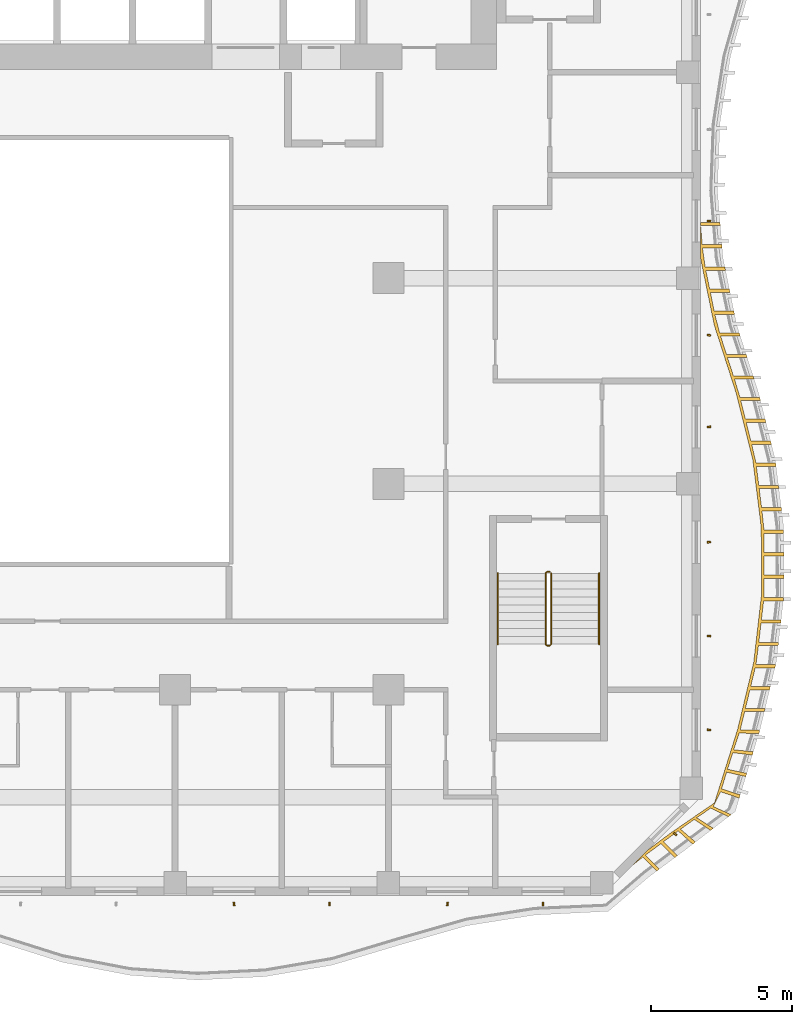
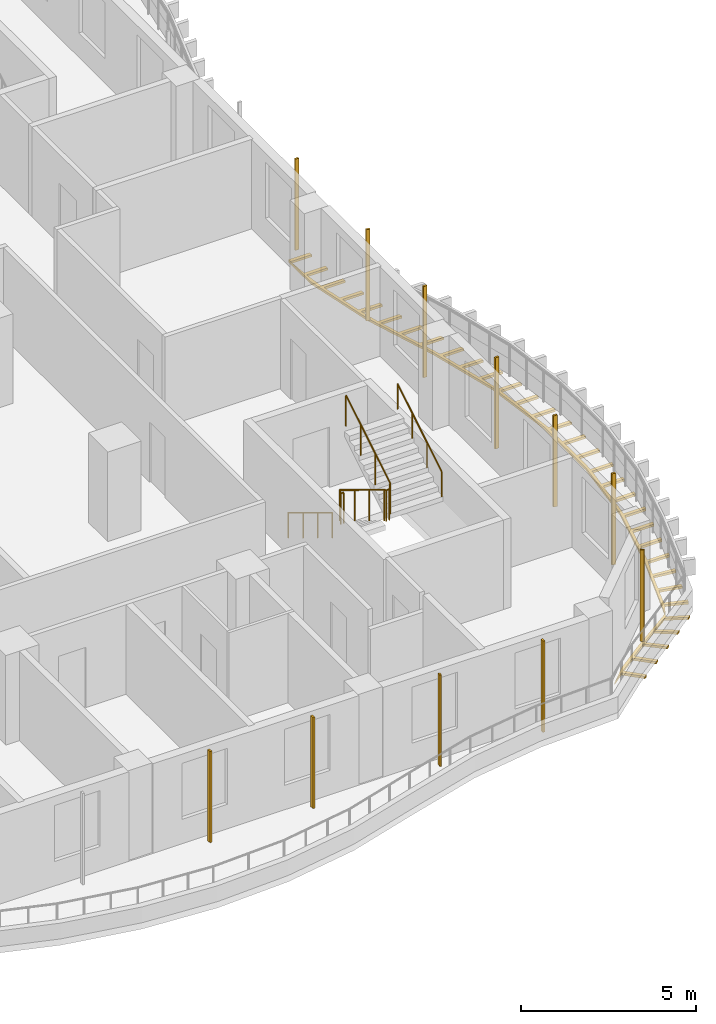
# One storey, part 17 of 22: 12 shading devices, 3 railings.
"""IFC4 building model written with IfcOpenShell, lengths in metres."""

from ifc_helpers import new_model, si_unit, direction, frame, origin, origin_2d, place, context, subcontext, project, spatial, polyline, rectangle, circle, outline, extrude, source, transform, mapped, material, layer, layer_set, material_profile, profile_set, type_object, element, save


model = new_model("IFC4")

# Units and contexts
model_context = context("Model", 3, precision=1e-05, world=origin(), true_north=direction((0.0, 1.0)))
body_context = subcontext(model_context, "Body", "Model", "MODEL_VIEW")
ifc_project = project(units=[si_unit("LENGTHUNIT", "METRE"), si_unit("AREAUNIT", "SQUARE_METRE"), si_unit("VOLUMEUNIT", "CUBIC_METRE"), si_unit("PLANEANGLEUNIT", "RADIAN"), si_unit("MASSUNIT", "GRAM", prefix="KILO")], contexts=[model_context])

# Site, building, storey
site_placement = place(None, origin())
site = spatial("IfcSite", under=ifc_project, at=site_placement, CompositionType="ELEMENT")
building_placement = place(site_placement, origin())
building = spatial("IfcBuilding", under=site, at=building_placement, Name="Kilnfold Tower and Market Hall", CompositionType="ELEMENT")
storey_placement = place(building_placement, frame((0.0, 0.0, 143.89990234375)))
storey = spatial("IfcBuildingStorey", under=building, at=storey_placement, Name="L32", CompositionType="ELEMENT", Elevation=143.89990234375)

# Railings
ifc_material_1 = material(Name="Stainless steel 316", Category="steel")
railing_type_1 = type_object("IfcRailingType", Name="CORE STAIR GUARD 1100", PredefinedType="GUARDRAIL", material=ifc_material_1)
railing_1_placement = place(storey_placement, frame((19.89990234375, -9.75, 0.0)))
element("IfcRailing", 1, at=railing_1_placement, inside=storey, type_object=railing_type_1, Name="L32 ST4 stair guard 1", PredefinedType="GUARDRAIL", context=body_context, shape_type="SweptSolid", body=[
    extrude(circle(Radius=0.02392578125, at=origin_2d()), frame((0.0, 0.0, 1.076171875), z_axis=(-1.0, 0.0, 0.0), x_axis=(0.0, -1.0, 0.0)), (0.0, 0.0, 1.0), 0.099853515625),
    extrude(circle(Radius=0.02392578125, at=origin_2d()), frame((-0.099853515625, 0.0, 1.076171875), z_axis=(-0.271562723297, -0.271562723297, 0.923313259209), x_axis=(0.707106781187, -0.707106781187, 0.0)), (0.0, 0.0, 1.0), 0.184326171875),
    extrude(circle(Radius=0.02392578125, at=origin_2d()), frame((-0.14990234375, -0.050048828125, 1.24609375), z_axis=(0.0, -0.85478489116, 0.518982456201), x_axis=(1.0, 0.0, 0.0)), (0.0, 0.0, 1.0), 2.9482421875),
    extrude(circle(Radius=0.02392578125, at=origin_2d()), frame((-0.14990234375, -2.570068359375, 2.7763671875), z_axis=(0.707106781187, -0.707106781187, 0.0), x_axis=(0.707106781187, 0.707106781187, 0.0)), (0.0, 0.0, 1.0), 0.07080078125),
    extrude(circle(Radius=0.02392578125, at=origin_2d()), frame((-0.099853515625, -2.6201171875, 2.7763671875), z_axis=(1.0, 0.0, 0.0), x_axis=(0.0, 1.0, 0.0)), (0.0, 0.0, 1.0), 0.099853515625),
    extrude(circle(Radius=0.02392578125, at=origin_2d()), frame((0.0, -2.6201171875, 2.7763671875), z_axis=(0.271895245746, 0.271895245746, 0.923117517265), x_axis=(-0.707106781187, 0.707106781187, 0.0)), (0.0, 0.0, 1.0), 0.18408203125),
    extrude(circle(Radius=0.02392578125, at=origin_2d()), frame((0.050048828125, -2.570068359375, 2.9462890625), z_axis=(0.0, 0.85478489116, 0.518982456201), x_axis=(-1.0, 0.0, 0.0)), (0.0, 0.0, 1.0), 2.9482421875),
    extrude(circle(Radius=0.02099609375, at=origin_2d()), origin(), (0.0, 0.0, 1.0), 1.052001953125),
    extrude(circle(Radius=0.02099609375, at=origin_2d()), frame((-0.099853515625, 0.0, 0.0)), (0.0, 0.0, 1.0), 1.052001953125),
    extrude(circle(Radius=0.02099609375, at=origin_2d()), frame((-0.14990234375, -0.050048828125, 0.170166015625)), (0.0, 0.0, 1.0), 1.052001953125),
    extrude(circle(Radius=0.02099609375, at=origin_2d()), frame((-0.14990234375, -0.89013671875, 0.68017578125)), (0.0, 0.0, 1.0), 1.052001953125),
    extrude(circle(Radius=0.02099609375, at=origin_2d()), frame((-0.14990234375, -1.72998046875, 1.190185546875)), (0.0, 0.0, 1.0), 1.052001953125),
    extrude(circle(Radius=0.02099609375, at=origin_2d()), frame((-0.14990234375, -2.570068359375, 1.7001953125)), (0.0, 0.0, 1.0), 1.052001953125),
    extrude(circle(Radius=0.02099609375, at=origin_2d()), frame((-0.099853515625, -2.6201171875, 1.7001953125)), (0.0, 0.0, 1.0), 1.052001953125),
    extrude(circle(Radius=0.02099609375, at=origin_2d()), frame((0.0, -2.6201171875, 1.7001953125)), (0.0, 0.0, 1.0), 1.052001953125),
    extrude(circle(Radius=0.02099609375, at=origin_2d()), frame((0.050048828125, -2.570068359375, 1.8701171875)), (0.0, 0.0, 1.0), 1.052001953125),
    extrude(circle(Radius=0.02099609375, at=origin_2d()), frame((0.050048828125, -1.72998046875, 2.380126953125)), (0.0, 0.0, 1.0), 1.052001953125),
    extrude(circle(Radius=0.02099609375, at=origin_2d()), frame((0.050048828125, -0.89013671875, 2.89013671875)), (0.0, 0.0, 1.0), 1.052001953125),
    extrude(circle(Radius=0.02099609375, at=origin_2d()), frame((0.050048828125, -0.050048828125, 3.400146484375)), (0.0, 0.0, 1.0), 1.052001953125),
])
ifc_material_2 = material(Name="Stainless steel 316", Category="steel")
railing_type_2 = type_object("IfcRailingType", Name="CORE STAIR HANDRAIL 900", PredefinedType="HANDRAIL", material=ifc_material_2)
railing_2_placement = place(storey_placement, frame((18.050048828125, -9.800048828125, 0.170166015625)))
element("IfcRailing", 2, at=railing_2_placement, inside=storey, type_object=railing_type_2, Name="L32 ST4 stair handrail 1", PredefinedType="HANDRAIL", context=body_context, shape_type="SweptSolid", body=[
    extrude(circle(Radius=0.02392578125, at=origin_2d()), frame((0.0, 0.0, 0.8759765625), z_axis=(0.0, -0.85478489116, 0.518982456201), x_axis=(1.0, 0.0, 0.0)), (0.0, 0.0, 1.0), 2.9482421875),
    extrude(circle(Radius=0.02099609375, at=origin_2d()), origin(), (0.0, 0.0, 1.0), 0.851806640625),
    extrude(circle(Radius=0.02099609375, at=origin_2d()), frame((0.0, -0.840087890625, 0.510009765625)), (0.0, 0.0, 1.0), 0.851806640625),
    extrude(circle(Radius=0.02099609375, at=origin_2d()), frame((0.0, -1.679931640625, 1.02001953125)), (0.0, 0.0, 1.0), 0.851806640625),
    extrude(circle(Radius=0.02099609375, at=origin_2d()), frame((0.0, -2.52001953125, 1.530029296875)), (0.0, 0.0, 1.0), 0.851806640625),
])
railing_3_placement = place(storey_placement, frame((21.64990234375, -12.320068359375, 1.8701171875)))
element("IfcRailing", 3, at=railing_3_placement, inside=storey, type_object=railing_type_2, Name="L32 ST4 stair handrail 2", PredefinedType="HANDRAIL", context=body_context, shape_type="SweptSolid", body=[
    extrude(circle(Radius=0.02392578125, at=origin_2d()), frame((0.0, 0.0, 0.8759765625), z_axis=(0.0, 0.85478489116, 0.518982456201), x_axis=(-1.0, 0.0, 0.0)), (0.0, 0.0, 1.0), 2.9482421875),
    extrude(circle(Radius=0.02099609375, at=origin_2d()), origin(), (0.0, 0.0, 1.0), 0.851806640625),
    extrude(circle(Radius=0.02099609375, at=origin_2d()), frame((0.0, 0.840087890625, 0.510009765625)), (0.0, 0.0, 1.0), 0.851806640625),
    extrude(circle(Radius=0.02099609375, at=origin_2d()), frame((0.0, 1.679931640625, 1.02001953125)), (0.0, 0.0, 1.0), 0.851806640625),
    extrude(circle(Radius=0.02099609375, at=origin_2d()), frame((0.0, 2.52001953125, 1.530029296875)), (0.0, 0.0, 1.0), 0.851806640625),
])

# Shading devices
ifc_material_3 = material(Name="Terracotta", Category="masonry")
ifc_material_profile = material_profile(ifc_material_3, rectangle(XDim=0.06005859375, YDim=0.1201171875, at=origin_2d()), Name="BAG 60x120")
ifc_profile_set = profile_set([ifc_material_profile], Name="Terracotta")
shading_device_type_1 = type_object("IfcShadingDeviceType", Name="BAGUETTE", PredefinedType="USERDEFINED", material=ifc_profile_set)
shared_shape_1 = source(origin(), body_context, "Body", "SweptSolid", [
    extrude(rectangle(XDim=0.06005859375, YDim=0.1201171875, at=origin_2d()), origin(), (0.0, 0.0, 1.0), 3.18017578125),
])
for number, where, z_axis, x_axis, name in (
    (4, (8.67919921875, -21.550048828125, 0.0), (0.0, 0.0, 1.0), (0.991255428821, 0.131957094669, 0.0), "Terracotta baguette L32 S"),
    (5, (12.07080078125, -21.550048828125, 0.0), (0.0, 0.0, 1.0), (0.998705722703, 0.050861374739, 0.0), "Terracotta baguette L32 S"),
    (6, (16.262451171875, -21.550048828125, 0.0), (0.0, 0.0, 1.0), (0.990306167317, -0.138901745758, 0.0), "Terracotta baguette L32 S"),
    (7, (19.654296875, -21.550048828125, 0.0), (0.0, 0.0, 1.0), (0.999879900285, -0.015497903297, 0.0), "Terracotta baguette L32 S"),
    (8, (24.35498046875, -19.0693359375, 0.0), (0.0, 0.0, 1.0), (0.633345756221, 0.773868950842, 0.0), "Terracotta baguette L32 SE"),
    (9, (25.550048828125, -15.364013671875, 0.0), (0.0, 0.0, 1.0), (0.115705172869, 0.993283601481, 0.0), "Terracotta baguette L32 E"),
    (10, (25.550048828125, -12.0283203125, 0.0), (0.0, 0.0, 1.0), (0.085997718089, 0.996295333967, 0.0), "Terracotta baguette L32 E"),
    (11, (25.550048828125, -8.69287109375, 0.0), (0.0, 0.0, 1.0), (-0.103085930495, 0.994672454094, 0.0), "Terracotta baguette L32 E"),
    (12, (25.550048828125, -4.596923828125, 0.0), (0.0, 0.0, 1.0), (-0.063299141844, 0.997994598503, 0.0), "Terracotta baguette L32 E"),
    (13, (25.550048828125, -1.3408203125, 0.0), (0.0, 0.0, 1.0), (0.11650779501, 0.993189777284, 0.0), "Terracotta baguette L32 E"),
    (14, (25.550048828125, 2.7158203125, 0.0), (0.0, 0.0, 1.0), (0.045307195017, 0.99897310178, 0.0), "Terracotta baguette L32 E"),
):
    element("IfcShadingDevice", number, at=place(storey_placement, frame(where, z_axis=z_axis, x_axis=x_axis)), inside=storey, type_object=shading_device_type_1, Name=name, ObjectType="BAGUETTE", PredefinedType="USERDEFINED", context=body_context, shape_type="MappedRepresentation", body=[
        mapped(shared_shape_1, transform((0.0, 0.0, 0.0))),
    ])
ifc_material_4 = material(Name="Bronze anodised aluminium", Category="aluminium")
ifc_layer = layer(ifc_material_4, 0.080078125)
ifc_layer_set = layer_set([ifc_layer], Name="Bronze anodised aluminium")
shading_device_type_2 = type_object("IfcShadingDeviceType", Name="BRONZE SLAT SOFFIT 80", PredefinedType="USERDEFINED", material=ifc_layer_set)
shared_shape_2 = source(origin(), body_context, "Body", "SweptSolid", [
    extrude(outline(polyline([(24.192138671875, -19.025390625), (25.74853515625, -17.95654296875), (26.56787109375, -15.355224609375), (27.14306640625, -12.96044921875), (27.41943359375, -10.56591796875), (27.4091796875, -8.171142578125), (27.11181640625, -5.7763671875), (26.513916015625, -3.381591796875), (25.7421875, -0.98681640625), (25.25146484375, 1.407958984375), (25.25, 2.672119140625), (25.94775390625, 2.672119140625), (25.95751953125, 2.552490234375), (25.257568359375, 2.552490234375), (25.313232421875, 1.874755859375), (26.01318359375, 1.874755859375), (26.02294921875, 1.755126953125), (25.322998046875, 1.755126953125), (25.418212890625, 1.0830078125), (26.1181640625, 1.0830078125), (26.14208984375, 0.965576171875), (25.442138671875, 0.965576171875), (25.57861328125, 0.29931640625), (26.27880859375, 0.29931640625), (26.302734375, 0.181640625), (25.602783203125, 0.181640625), (25.7392578125, -0.484375), (26.439208984375, -0.484375), (26.46337890625, -0.60205078125), (25.76318359375, -0.60205078125), (25.930419921875, -1.260009765625), (26.63037109375, -1.260009765625), (26.6669921875, -1.374267578125), (25.967041015625, -1.374267578125), (26.17578125, -2.021484375), (26.875732421875, -2.021484375), (26.889404296875, -2.064208984375), (26.91259765625, -2.1357421875), (26.21240234375, -2.1357421875), (26.421142578125, -2.782958984375), (27.12109375, -2.782958984375), (27.157958984375, -2.897216796875), (26.4580078125, -2.897216796875), (26.655517578125, -3.547607421875), (27.35546875, -3.547607421875), (27.384521484375, -3.6640625), (26.6845703125, -3.6640625), (26.84912109375, -4.32373046875), (27.54931640625, -4.32373046875), (27.578125, -4.440185546875), (26.878173828125, -4.440185546875), (27.04296875, -5.10009765625), (27.742919921875, -5.10009765625), (27.77197265625, -5.21630859375), (27.072021484375, -5.21630859375), (27.224365234375, -5.87841796875), (27.92431640625, -5.87841796875), (27.939208984375, -5.99755859375), (27.2392578125, -5.99755859375), (27.322998046875, -6.67236328125), (28.02294921875, -6.67236328125), (28.037841796875, -6.79150390625), (27.337890625, -6.79150390625), (27.421630859375, -7.46630859375), (28.12158203125, -7.46630859375), (28.136474609375, -7.585205078125), (27.436279296875, -7.585205078125), (27.509521484375, -8.2607421875), (28.20947265625, -8.2607421875), (28.2099609375, -8.380859375), (27.510009765625, -8.380859375), (27.512939453125, -9.060791015625), (28.212890625, -9.060791015625), (28.21337890625, -9.180908203125), (27.513427734375, -9.180908203125), (27.516357421875, -9.86083984375), (28.21630859375, -9.86083984375), (28.216796875, -9.980712890625), (27.516845703125, -9.980712890625), (27.508544921875, -10.66015625), (28.20849609375, -10.66015625), (28.19482421875, -10.779296875), (27.494873046875, -10.779296875), (27.416748046875, -11.454833984375), (28.11669921875, -11.454833984375), (28.10302734375, -11.57421875), (27.403076171875, -11.57421875), (27.3251953125, -12.24951171875), (28.025146484375, -12.24951171875), (28.011474609375, -12.368896484375), (27.311279296875, -12.368896484375), (27.223388671875, -13.04248046875), (27.92333984375, -13.04248046875), (27.8955078125, -13.1591796875), (27.1953125, -13.1591796875), (27.03662109375, -13.8203125), (27.736572265625, -13.8203125), (27.70849609375, -13.93701171875), (27.008544921875, -13.93701171875), (26.849609375, -14.598388671875), (27.549560546875, -14.598388671875), (27.521484375, -14.715087890625), (26.821533203125, -14.715087890625), (26.66162109375, -15.3740234375), (27.361572265625, -15.3759765625), (27.326904296875, -15.49072265625), (26.626953125, -15.478271484375), (26.43359375, -16.068115234375), (27.1298828125, -16.1416015625), (27.094970703125, -16.25634765625), (26.400146484375, -16.172119140625), (26.21337890625, -16.761474609375), (26.89794921875, -16.9072265625), (26.86328125, -17.022216796875), (26.180908203125, -16.865478515625), (26.00048828125, -17.456787109375), (26.666015625, -17.6728515625), (26.63134765625, -17.78759765625), (25.968994140625, -17.561279296875), (25.7041015625, -18.0859375), (26.341796875, -18.37451171875), (26.24658203125, -18.44775390625), (25.615234375, -18.1455078125), (25.117919921875, -18.484375), (25.707275390625, -18.86181640625), (25.6123046875, -18.93505859375), (25.031005859375, -18.544677734375), (24.544189453125, -18.890380859375), (25.072998046875, -19.34912109375), (24.977783203125, -19.42236328125), (24.458984375, -18.9521484375), (23.939697265625, -19.33642578125), (24.4345703125, -19.831298828125), (24.33837890625, -19.903076171875), (23.84326171875, -19.407958984375), (23.297607421875, -19.813720703125), (23.79248046875, -20.30859375), (23.6962890625, -20.38037109375), (23.201171875, -19.88525390625), (22.798828125, -20.201171875), (23.344482421875, -19.655517578125), (24.192138671875, -19.025390625)])), origin(), (0.0, 0.0, 1.0), 0.079833984375),
])
shading_device_placement = place(storey_placement, frame((0.0, 0.0, -0.2998046875)))
element("IfcShadingDevice", 15, at=shading_device_placement, inside=storey, type_object=shading_device_type_2, Name="Balcony soffit slats L32", ObjectType="SLAT", PredefinedType="USERDEFINED", context=body_context, shape_type="MappedRepresentation", body=[
    mapped(shared_shape_2, transform((0.0, 0.0, 0.0))),
])

save(model, "model.ifc")
